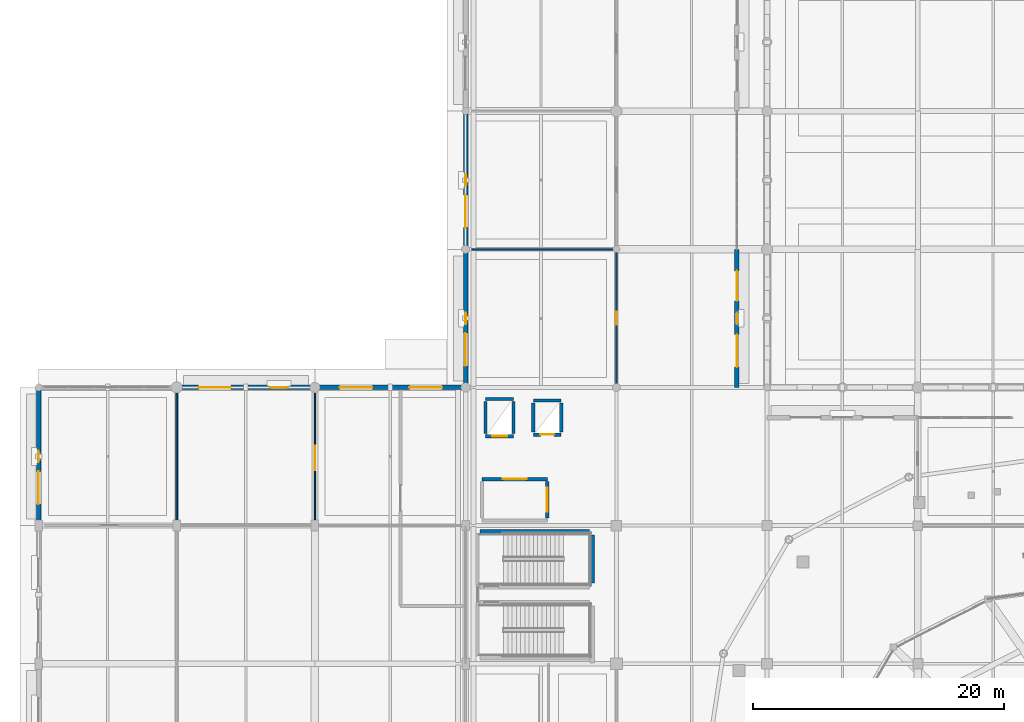
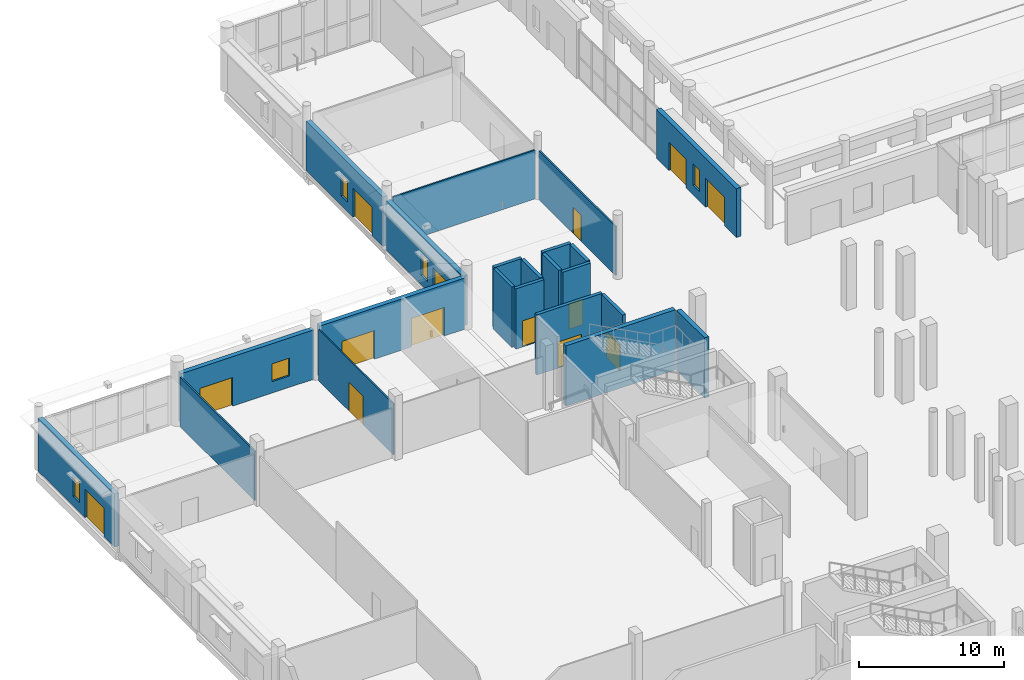
# One storey, part 60 of 120: 22 walls, 14 doors, 5 windows, 19 openings.
"""IFC4 building model written with IfcOpenShell, lengths in metres."""

from ifc_helpers import new_model, si_unit, direction, frame, frame_2d, origin, place, context, subcontext, project, spatial, rectangle, extrude, material, layer, layer_set, type_object, element, fill, save


model = new_model("IFC4")

# Units and contexts
model_context = context("Model", 3, precision=1e-05, world=origin(), true_north=direction((0.0, 1.0)))
body_context = subcontext(model_context, "Body", "Model", "MODEL_VIEW")
ifc_project = project(units=[si_unit("LENGTHUNIT", "METRE"), si_unit("AREAUNIT", "SQUARE_METRE"), si_unit("VOLUMEUNIT", "CUBIC_METRE"), si_unit("PLANEANGLEUNIT", "RADIAN"), si_unit("MASSUNIT", "GRAM", prefix="KILO")], contexts=[model_context])

# Site, building, storey
site_placement = place(None, origin())
site = spatial("IfcSite", under=ifc_project, at=site_placement, CompositionType="ELEMENT")
building_placement = place(site_placement, origin())
building = spatial("IfcBuilding", under=site, at=building_placement, Name="Luwafu Chhajja Arena", CompositionType="ELEMENT")
storey_placement = place(building_placement, origin())
storey = spatial("IfcBuildingStorey", under=building, at=storey_placement, Name="L00", CompositionType="ELEMENT", Elevation=0.0)

# Wall, opening, door
ifc_material_1 = material(Name="Gypsum plasterboard partition")
ifc_layer_1 = layer(ifc_material_1, 0.10009765625, Name="Gypsum plasterboard partition")
ifc_layer_set_1 = layer_set([ifc_layer_1], Name="Gypsum plasterboard partition")
wall_type_1 = type_object("IfcWallType", Name="Drywall Lining Partition 100", PredefinedType="PARTITIONING", material=ifc_layer_set_1)
wall_1_placement = place(storey_placement, frame((22.0, 88.219970703125, 0.0), z_axis=(0.0, 0.0, 1.0), x_axis=(0.0, 1.0, 0.0)))
wall_1 = element("IfcWall", 1, at=wall_1_placement, inside=storey, type_object=wall_type_1, Name="L00 Internal Partition 0151", PredefinedType="PARTITIONING", context=body_context, shape_type="SweptSolid", body=[
    extrude(rectangle(XDim=10.300048828125, YDim=0.10009765625, at=frame_2d((5.14990234375, 0.0))), origin(), (0.0, 0.0, 1.0), 4.300048828125),
])
opening_1_placement = place(wall_1_placement, frame((4.175048828125, 0.0, 0.0)))
opening_1 = element("IfcOpeningElement", 2, at=opening_1_placement, cuts=wall_1, Name="Opening DR-25", PredefinedType="OPENING", context=body_context, shape_type="SweptSolid", body=[
    extrude(rectangle(XDim=1.949951171875, YDim=2.39990234375, at=frame_2d((0.97509765625, 1.199951171875))), frame((0.0, 0.06005859375, 0.0), z_axis=(0.0, -1.0, 0.0), x_axis=(1.0, 0.0, 0.0)), (0.0, 0.0, 1.0), 0.1201171875),
])
ifc_material_2 = material(Name="Anodised bronze glazed double door")
door_type_1 = type_object("IfcDoorType", Name="DR-25", OperationType="DOUBLE_DOOR_SINGLE_SWING", PredefinedType="DOOR", material=ifc_material_2)
door_1_placement = place(opening_1_placement, origin())
door_1 = element("IfcDoor", 3, at=door_1_placement, inside=storey, type_object=door_type_1, Name="L00 Interior Door L00-D034", OperationType="DOUBLE_DOOR_SINGLE_SWING", OverallHeight=2.39990234375, OverallWidth=1.949951171875, PredefinedType="DOOR", context=body_context, shape_type="SweptSolid", body=[
    extrude(rectangle(XDim=1.949951171875, YDim=2.39990234375, at=frame_2d((0.97509765625, 1.199951171875))), frame((0.0, 0.02490234375, 0.0), z_axis=(0.0, -1.0, 0.0), x_axis=(1.0, 0.0, 0.0)), (0.0, 0.0, 1.0), 0.050048828125),
])
fill(opening_1, door_1)

ifc_material_3 = material(Name="Concrete C40/50", Category="concrete")
ifc_layer_2 = layer(ifc_material_3, 0.260009765625, Name="Concrete C40/50")
ifc_layer_set_2 = layer_set([ifc_layer_2], Name="Concrete C40/50")
wall_type_2 = type_object("IfcWallType", Name="Firefighting Lobby Wall 260", PredefinedType="SOLIDWALL", material=ifc_layer_set_2)
wall_2_placement = place(storey_placement, frame((35.300048828125, 91.699951171875, 0.0), z_axis=(0.0, 0.0, 1.0), x_axis=(1.0, 0.0, 0.0)))
wall_2 = element("IfcWall", 4, at=wall_2_placement, inside=storey, type_object=wall_type_2, Name="L00 Core C3 Firefighting Lobby Wall N", PredefinedType="SOLIDWALL", context=body_context, shape_type="SweptSolid", body=[
    extrude(rectangle(XDim=5.199951171875, YDim=0.260009765625, at=frame_2d((2.60009765625, 0.0))), origin(), (0.0, 0.0, 1.0), 5.06005859375),
])
opening_2_placement = place(wall_2_placement, frame((1.64990234375, 0.0, 0.0)))
opening_2 = element("IfcOpeningElement", 5, at=opening_2_placement, cuts=wall_2, Name="Opening DR-07", PredefinedType="OPENING", context=body_context, shape_type="SweptSolid", body=[
    extrude(rectangle(XDim=1.89990234375, YDim=2.199951171875, at=frame_2d((0.949951171875, 1.10009765625))), frame((0.0, 0.139892578125, 0.0), z_axis=(0.0, -1.0, 0.0), x_axis=(1.0, 0.0, 0.0)), (0.0, 0.0, 1.0), 0.280029296875),
])
ifc_material_4 = material(Name="Fire-rated hardwood and vision panel", Category="wood")
door_type_2 = type_object("IfcDoorType", Name="DR-07", OperationType="DOUBLE_DOOR_SINGLE_SWING", PredefinedType="DOOR", material=ifc_material_4)
door_2_placement = place(opening_2_placement, origin())
door_2 = element("IfcDoor", 6, at=door_2_placement, inside=storey, type_object=door_type_2, Name="L00 Firefighting Lobby C3 Door L00-D011", OperationType="DOUBLE_DOOR_SINGLE_SWING", OverallHeight=2.199951171875, OverallWidth=1.89990234375, PredefinedType="DOOR", context=body_context, shape_type="SweptSolid", body=[
    extrude(rectangle(XDim=1.89990234375, YDim=2.199951171875, at=frame_2d((0.949951171875, 1.10009765625))), frame((0.0, 0.02490234375, 0.0), z_axis=(0.0, -1.0, 0.0), x_axis=(1.0, 0.0, 0.0)), (0.0, 0.0, 1.0), 0.050048828125),
])
fill(opening_2, door_2)

wall_3_placement = place(storey_placement, frame((40.5, 88.60009765625, 0.0), z_axis=(0.0, 0.0, 1.0), x_axis=(0.0, 1.0, 0.0)))
wall_3 = element("IfcWall", 7, at=wall_3_placement, inside=storey, type_object=wall_type_2, Name="L00 Core C3 Firefighting Lobby Wall E", PredefinedType="SOLIDWALL", context=body_context, shape_type="SweptSolid", body=[
    extrude(rectangle(XDim=2.89990234375, YDim=0.260009765625, at=frame_2d((1.449951171875, 0.0))), origin(), (0.0, 0.0, 1.0), 5.06005859375),
])
opening_3_placement = place(wall_3_placement, frame((0.5, 0.0, 0.0)))
opening_3 = element("IfcOpeningElement", 8, at=opening_3_placement, cuts=wall_3, Name="Opening DR-07", PredefinedType="OPENING", context=body_context, shape_type="SweptSolid", body=[
    extrude(rectangle(XDim=1.89990234375, YDim=2.199951171875, at=frame_2d((0.949951171875, 1.10009765625))), frame((0.0, 0.139892578125, 0.0), z_axis=(0.0, -1.0, 0.0), x_axis=(1.0, 0.0, 0.0)), (0.0, 0.0, 1.0), 0.280029296875),
])
door_3_placement = place(opening_3_placement, origin())
door_3 = element("IfcDoor", 9, at=door_3_placement, inside=storey, type_object=door_type_2, Name="L00 Firefighting Lobby C3 Door L00-D012", OperationType="DOUBLE_DOOR_SINGLE_SWING", OverallHeight=2.199951171875, OverallWidth=1.89990234375, PredefinedType="DOOR", context=body_context, shape_type="SweptSolid", body=[
    extrude(rectangle(XDim=1.89990234375, YDim=2.199951171875, at=frame_2d((0.949951171875, 1.10009765625))), frame((0.0, 0.02490234375, 0.0), z_axis=(0.0, -1.0, 0.0), x_axis=(1.0, 0.0, 0.0)), (0.0, 0.0, 1.0), 0.050048828125),
])
fill(opening_3, door_3)

# Wall
ifc_material_5 = material(Name="Acoustic metal-stud gypsum board")
ifc_layer_3 = layer(ifc_material_5, 0.1201171875, Name="Acoustic metal-stud gypsum board")
ifc_layer_set_3 = layer_set([ifc_layer_3], Name="Acoustic metal-stud gypsum board")
wall_type_3 = type_object("IfcWallType", Name="Internal Room Partition 120", PredefinedType="PARTITIONING", material=ifc_layer_set_3)
wall_4_placement = place(storey_placement, frame((11.0, 88.219970703125, 0.0), z_axis=(0.0, 0.0, 1.0), x_axis=(0.0, 1.0, 0.0)))
element("IfcWall", 10, at=wall_4_placement, inside=storey, type_object=wall_type_3, Name="L00 Internal Partition 0148", PredefinedType="PARTITIONING", context=body_context, shape_type="SweptSolid", body=[
    extrude(rectangle(XDim=10.300048828125, YDim=0.1201171875, at=frame_2d((5.14990234375, 0.0))), origin(), (0.0, 0.0, 1.0), 4.14990234375),
])

# Wall, opening, door
wall_5_placement = place(storey_placement, frame((46.0, 99.219970703125, 0.0), z_axis=(0.0, 0.0, 1.0), x_axis=(0.0, 1.0, 0.0)))
wall_5 = element("IfcWall", 11, at=wall_5_placement, inside=storey, type_object=wall_type_3, Name="L00 Internal Partition 0159", PredefinedType="PARTITIONING", context=body_context, shape_type="SweptSolid", body=[
    extrude(rectangle(XDim=10.56005859375, YDim=0.1201171875, at=frame_2d((5.280029296875, 0.0))), origin(), (0.0, 0.0, 1.0), 4.10009765625),
])
opening_4_placement = place(wall_5_placement, frame((4.760009765625, 0.0, 0.0)))
opening_4 = element("IfcOpeningElement", 12, at=opening_4_placement, cuts=wall_5, Name="Opening DR-24", PredefinedType="OPENING", context=body_context, shape_type="SweptSolid", body=[
    extrude(rectangle(XDim=1.0400390625, YDim=2.199951171875, at=frame_2d((0.52001953125, 1.10009765625))), frame((0.0, 0.070068359375, 0.0), z_axis=(0.0, -1.0, 0.0), x_axis=(1.0, 0.0, 0.0)), (0.0, 0.0, 1.0), 0.14013671875),
])
ifc_material_6 = material(Name="Hardwood flush classroom door", Category="wood")
door_type_3 = type_object("IfcDoorType", Name="DR-24", OperationType="NOTDEFINED", PredefinedType="DOOR", material=ifc_material_6)
door_4_placement = place(opening_4_placement, origin())
door_4 = element("IfcDoor", 13, at=door_4_placement, inside=storey, type_object=door_type_3, Name="L00 Interior Door L00-D040", OperationType="SINGLE_SWING_RIGHT", OverallHeight=2.199951171875, OverallWidth=1.0400390625, PredefinedType="DOOR", context=body_context, shape_type="SweptSolid", body=[
    extrude(rectangle(XDim=1.0400390625, YDim=2.199951171875, at=frame_2d((0.52001953125, 1.10009765625))), frame((0.0, 0.02490234375, 0.0), z_axis=(0.0, -1.0, 0.0), x_axis=(1.0, 0.0, 0.0)), (0.0, 0.0, 1.0), 0.050048828125),
])
fill(opening_4, door_4)

# Wall
wall_6_placement = place(storey_placement, frame((34.47998046875, 110.0, 0.0), z_axis=(0.0, 0.0, 1.0), x_axis=(1.0, 0.0, 0.0)))
element("IfcWall", 14, at=wall_6_placement, inside=storey, type_object=wall_type_3, Name="L00 Internal Partition 0203", PredefinedType="PARTITIONING", context=body_context, shape_type="SweptSolid", body=[
    extrude(rectangle(XDim=11.300048828125, YDim=0.1201171875, at=frame_2d((5.64990234375, 0.0))), origin(), (0.0, 0.0, 1.0), 4.10009765625),
])

# Wall, opening, door
ifc_material_7 = material(Name="Concrete C35/45", Category="concrete")
ifc_layer_4 = layer(ifc_material_7, 0.260009765625, Name="Concrete C35/45")
ifc_layer_set_4 = layer_set([ifc_layer_4], Name="Concrete C35/45")
wall_type_4 = type_object("IfcWallType", Name="Lift and Riser Shaft Wall 260", PredefinedType="SOLIDWALL", material=ifc_layer_set_4)
wall_7_placement = place(storey_placement, frame((35.590087890625, 95.114990234375, 0.0), z_axis=(0.0, 0.0, 1.0), x_axis=(1.0, 0.0, 0.0)))
wall_7 = element("IfcWall", 15, at=wall_7_placement, inside=storey, type_object=wall_type_4, Name="L00 Lift LF-03 Shaft Wall S", PredefinedType="SOLIDWALL", context=body_context, shape_type="SweptSolid", body=[
    extrude(rectangle(XDim=2.219970703125, YDim=0.260009765625, at=frame_2d((1.10986328125, 0.0))), origin(), (0.0, 0.0, 1.0), 5.06005859375),
])
opening_5_placement = place(wall_7_placement, frame((0.510009765625, 0.0, 0.0)))
opening_5 = element("IfcOpeningElement", 16, at=opening_5_placement, cuts=wall_7, Name="Opening LD-02", PredefinedType="OPENING", context=body_context, shape_type="SweptSolid", body=[
    extrude(rectangle(XDim=1.199951171875, YDim=2.199951171875, at=frame_2d((0.60009765625, 1.10009765625))), frame((0.0, 0.139892578125, 0.0), z_axis=(0.0, -1.0, 0.0), x_axis=(1.0, 0.0, 0.0)), (0.0, 0.0, 1.0), 0.280029296875),
])
ifc_material_8 = material(Name="Brushed stainless steel sliding leaves", Category="steel")
door_type_4 = type_object("IfcDoorType", Name="LD-02", OperationType="SLIDING_TO_LEFT", PredefinedType="DOOR", material=ifc_material_8)
door_5_placement = place(opening_5_placement, origin())
door_5 = element("IfcDoor", 17, at=door_5_placement, inside=storey, type_object=door_type_4, Name="L00 Lift LF-03 Landing Door L00-LD05", OperationType="SLIDING_TO_LEFT", OverallHeight=2.199951171875, OverallWidth=1.199951171875, PredefinedType="DOOR", context=body_context, shape_type="SweptSolid", body=[
    extrude(rectangle(XDim=1.199951171875, YDim=2.199951171875, at=frame_2d((0.60009765625, 1.10009765625))), frame((0.0, 0.02490234375, 0.0), z_axis=(0.0, -1.0, 0.0), x_axis=(1.0, 0.0, 0.0)), (0.0, 0.0, 1.0), 0.050048828125),
])
fill(opening_5, door_5)

# Walls
wall_8_placement = place(storey_placement, frame((35.590087890625, 98.0849609375, 0.0), z_axis=(0.0, 0.0, 1.0), x_axis=(1.0, 0.0, 0.0)))
element("IfcWall", 18, at=wall_8_placement, inside=storey, type_object=wall_type_4, Name="L00 Lift LF-03 Shaft Wall N", PredefinedType="SOLIDWALL", context=body_context, shape_type="SweptSolid", body=[
    extrude(rectangle(XDim=2.219970703125, YDim=0.260009765625, at=frame_2d((1.10986328125, 0.0))), origin(), (0.0, 0.0, 1.0), 5.06005859375),
])
for number, where, z_axis, x_axis, name in (
    (19, (35.590087890625, 95.31494140625, 0.0), (0.0, 0.0, 1.0), (0.0, 1.0, 0.0), "L00 Lift LF-03 Shaft Wall W"),
    (20, (37.81005859375, 95.31494140625, 0.0), (0.0, 0.0, 1.0), (0.0, 1.0, 0.0), "L00 Lift LF-03 Shaft Wall E"),
):
    element("IfcWall", number, at=place(storey_placement, frame(where, z_axis=z_axis, x_axis=x_axis)), inside=storey, type_object=wall_type_4, Name=name, PredefinedType="SOLIDWALL", context=body_context, shape_type="SweptSolid", body=[
        extrude(rectangle(XDim=2.570068359375, YDim=0.260009765625, at=frame_2d((1.28515625, 0.0))), origin(), (0.0, 0.0, 1.0), 5.06005859375),
    ])

# Wall, opening, door
wall_9_placement = place(storey_placement, frame((39.389892578125, 95.239990234375, 0.0), z_axis=(0.0, 0.0, 1.0), x_axis=(1.0, 0.0, 0.0)))
wall_9 = element("IfcWall", 21, at=wall_9_placement, inside=storey, type_object=wall_type_4, Name="L00 Lift LF-07 Shaft Wall S", PredefinedType="SOLIDWALL", context=body_context, shape_type="SweptSolid", body=[
    extrude(rectangle(XDim=2.22021484375, YDim=0.260009765625, at=frame_2d((1.110107421875, 0.0))), origin(), (0.0, 0.0, 1.0), 5.06005859375),
])
opening_6_placement = place(wall_9_placement, frame((0.56005859375, 0.0, 0.0)))
opening_6 = element("IfcOpeningElement", 22, at=opening_6_placement, cuts=wall_9, Name="Opening LD-01", PredefinedType="OPENING", context=body_context, shape_type="SweptSolid", body=[
    extrude(rectangle(XDim=1.10009765625, YDim=2.14990234375, at=frame_2d((0.550048828125, 1.074951171875))), frame((0.0, 0.139892578125, 0.0), z_axis=(0.0, -1.0, 0.0), x_axis=(1.0, 0.0, 0.0)), (0.0, 0.0, 1.0), 0.280029296875),
])
door_type_5 = type_object("IfcDoorType", Name="LD-01", OperationType="SLIDING_TO_LEFT", PredefinedType="DOOR", material=ifc_material_8)
door_6_placement = place(opening_6_placement, origin())
door_6 = element("IfcDoor", 23, at=door_6_placement, inside=storey, type_object=door_type_5, Name="L00 Lift LF-07 Landing Door L00-LD06", OperationType="SLIDING_TO_LEFT", OverallHeight=2.14990234375, OverallWidth=1.10009765625, PredefinedType="DOOR", context=body_context, shape_type="SweptSolid", body=[
    extrude(rectangle(XDim=1.10009765625, YDim=2.14990234375, at=frame_2d((0.550048828125, 1.074951171875))), frame((0.0, 0.02490234375, 0.0), z_axis=(0.0, -1.0, 0.0), x_axis=(1.0, 0.0, 0.0)), (0.0, 0.0, 1.0), 0.050048828125),
])
fill(opening_6, door_6)

# Walls
wall_10_placement = place(storey_placement, frame((39.389892578125, 97.9599609375, 0.0), z_axis=(0.0, 0.0, 1.0), x_axis=(1.0, 0.0, 0.0)))
element("IfcWall", 24, at=wall_10_placement, inside=storey, type_object=wall_type_4, Name="L00 Lift LF-07 Shaft Wall N", PredefinedType="SOLIDWALL", context=body_context, shape_type="SweptSolid", body=[
    extrude(rectangle(XDim=2.22021484375, YDim=0.260009765625, at=frame_2d((1.110107421875, 0.0))), origin(), (0.0, 0.0, 1.0), 5.06005859375),
])
for number, where, z_axis, x_axis, name in (
    (25, (39.389892578125, 95.43994140625, 0.0), (0.0, 0.0, 1.0), (0.0, 1.0, 0.0), "L00 Lift LF-07 Shaft Wall W"),
    (26, (41.610107421875, 95.43994140625, 0.0), (0.0, 0.0, 1.0), (0.0, 1.0, 0.0), "L00 Lift LF-07 Shaft Wall E"),
):
    element("IfcWall", number, at=place(storey_placement, frame(where, z_axis=z_axis, x_axis=x_axis)), inside=storey, type_object=wall_type_4, Name=name, PredefinedType="SOLIDWALL", context=body_context, shape_type="SweptSolid", body=[
        extrude(rectangle(XDim=2.320068359375, YDim=0.260009765625, at=frame_2d((1.16015625, 0.0))), origin(), (0.0, 0.0, 1.0), 5.06005859375),
    ])
ifc_layer_5 = layer(ifc_material_3, 0.35009765625, Name="Concrete C40/50")
ifc_layer_set_5 = layer_set([ifc_layer_5], Name="Concrete C40/50")
wall_type_5 = type_object("IfcWallType", Name="RC Core Shear Wall 350", PredefinedType="SOLIDWALL", material=ifc_layer_set_5)
wall_11_placement = place(storey_placement, frame((44.072021484375, 83.409912109375, 0.0), z_axis=(0.0, 0.0, 1.0), x_axis=(0.0, 1.0, 0.0)))
element("IfcWall", 27, at=wall_11_placement, inside=storey, type_object=wall_type_5, Name="L00 Stair ST-06 Core Shear Wall E", PredefinedType="SOLIDWALL", context=body_context, shape_type="SweptSolid", body=[
    extrude(rectangle(XDim=3.840087890625, YDim=0.35009765625, at=frame_2d((1.919921875, 0.0))), origin(), (0.0, 0.0, 1.0), 5.06005859375),
])
wall_12_placement = place(storey_placement, frame((35.14990234375, 87.52197265625, 0.0), z_axis=(0.0, 0.0, 1.0), x_axis=(1.0, 0.0, 0.0)))
element("IfcWall", 28, at=wall_12_placement, inside=storey, type_object=wall_type_5, Name="L00 Stair ST-06 Core Shear Wall N", PredefinedType="SOLIDWALL", context=body_context, shape_type="SweptSolid", body=[
    extrude(rectangle(XDim=8.7001953125, YDim=0.35009765625, at=frame_2d((4.35009765625, 0.0))), origin(), (0.0, 0.0, 1.0), 5.06005859375),
])

# Wall, openings, window, door
ifc_layer_6 = layer(ifc_material_7, 0.360107421875, Name="Concrete C35/45")
ifc_layer_set_6 = layer_set([ifc_layer_6], Name="Concrete C35/45")
wall_type_6 = type_object("IfcWallType", Name="Sandstone Backed Exterior Wall 360", PredefinedType="SOLIDWALL", material=ifc_layer_set_6)
wall_13_placement = place(storey_placement, frame((0.0, 88.219970703125, 0.0), z_axis=(0.0, 0.0, 1.0), x_axis=(0.0, 1.0, 0.0)))
wall_13 = element("IfcWall", 29, at=wall_13_placement, inside=storey, type_object=wall_type_6, Name="L00 Exterior Wall WEX-L00-063", PredefinedType="SOLIDWALL", context=body_context, shape_type="SweptSolid", body=[
    extrude(rectangle(XDim=10.56005859375, YDim=0.360107421875, at=frame_2d((5.280029296875, 0.0))), origin(), (0.0, 0.0, 1.0), 4.449951171875),
])
opening_7_placement = place(wall_13_placement, frame((1.49560546875, 0.0, 0.0)))
opening_7 = element("IfcOpeningElement", 30, at=opening_7_placement, cuts=wall_13, Name="Opening DR-01", PredefinedType="OPENING", context=body_context, shape_type="SweptSolid", body=[
    extrude(rectangle(XDim=2.60009765625, YDim=2.39990234375, at=frame_2d((1.300048828125, 1.199951171875))), frame((0.0, 0.18994140625, 0.0), z_axis=(0.0, -1.0, 0.0), x_axis=(1.0, 0.0, 0.0)), (0.0, 0.0, 1.0), 0.380126953125),
])
opening_8_placement = place(wall_13_placement, frame((4.830078125, 0.0, 0.800048828125)))
opening_8 = element("IfcOpeningElement", 31, at=opening_8_placement, cuts=wall_13, Name="Opening WN-16", PredefinedType="OPENING", context=body_context, shape_type="SweptSolid", body=[
    extrude(rectangle(XDim=0.89990234375, YDim=1.800048828125, at=frame_2d((0.449951171875, 0.89990234375))), frame((0.0, 0.18994140625, 0.0), z_axis=(0.0, -1.0, 0.0), x_axis=(1.0, 0.0, 0.0)), (0.0, 0.0, 1.0), 0.380126953125),
])
ifc_material_9 = material(Name="Solar-control laminated glass", Category="glass")
window_type_1 = type_object("IfcWindowType", Name="Stair Core Daylight Slot Window 900x1800", PartitioningType="SINGLE_PANEL", PredefinedType="WINDOW", material=ifc_material_9)
window_1_placement = place(opening_8_placement, origin())
window_1 = element("IfcWindow", 32, at=window_1_placement, inside=storey, type_object=window_type_1, Name="L00 Facade Window 264", OverallHeight=1.800048828125, OverallWidth=0.89990234375, PartitioningType="SINGLE_PANEL", PredefinedType="WINDOW", context=body_context, shape_type="SweptSolid", body=[
    extrude(rectangle(XDim=0.89990234375, YDim=1.800048828125, at=frame_2d((0.449951171875, 0.89990234375))), frame((0.0, 0.030029296875, 0.0), z_axis=(0.0, -1.0, 0.0), x_axis=(1.0, 0.0, 0.0)), (0.0, 0.0, 1.0), 0.06005859375),
])
fill(opening_8, window_1)
ifc_material_10 = material(Name="Anodised bronze aluminium and toughened glass", Category="aluminium")
door_type_6 = type_object("IfcDoorType", Name="DR-01", OperationType="DOUBLE_DOOR_SINGLE_SWING", PredefinedType="DOOR", material=ifc_material_10)
door_7_placement = place(opening_7_placement, origin())
door_7 = element("IfcDoor", 33, at=door_7_placement, inside=storey, type_object=door_type_6, Name="Stair Exit Discharge Door SX-07", OperationType="DOUBLE_DOOR_SINGLE_SWING", OverallHeight=2.39990234375, OverallWidth=2.60009765625, PredefinedType="DOOR", context=body_context, shape_type="SweptSolid", body=[
    extrude(rectangle(XDim=2.60009765625, YDim=2.39990234375, at=frame_2d((1.300048828125, 1.199951171875))), frame((0.0, 0.02490234375, 0.0), z_axis=(0.0, -1.0, 0.0), x_axis=(1.0, 0.0, 0.0)), (0.0, 0.0, 1.0), 0.050048828125),
])
fill(opening_7, door_7)

wall_14_placement = place(storey_placement, frame((11.219970703125, 99.0, 0.0), z_axis=(0.0, 0.0, 1.0), x_axis=(1.0, 0.0, 0.0)))
wall_14 = element("IfcWall", 34, at=wall_14_placement, inside=storey, type_object=wall_type_6, Name="L00 Exterior Wall WEX-L00-065", PredefinedType="SOLIDWALL", context=body_context, shape_type="SweptSolid", body=[
    extrude(rectangle(XDim=10.56005859375, YDim=0.360107421875, at=frame_2d((5.280029296875, 0.0))), origin(), (0.0, 0.0, 1.0), 4.14990234375),
])
opening_9_placement = place(wall_14_placement, frame((1.49560546875, 0.0, 0.0)))
opening_9 = element("IfcOpeningElement", 35, at=opening_9_placement, cuts=wall_14, Name="Opening DR-01", PredefinedType="OPENING", context=body_context, shape_type="SweptSolid", body=[
    extrude(rectangle(XDim=2.60009765625, YDim=2.39990234375, at=frame_2d((1.300048828125, 1.199951171875))), frame((0.0, 0.18994140625, 0.0), z_axis=(0.0, -1.0, 0.0), x_axis=(1.0, 0.0, 0.0)), (0.0, 0.0, 1.0), 0.380126953125),
])
opening_10_placement = place(wall_14_placement, frame((7.219970703125, 0.0, 0.949951171875)))
opening_10 = element("IfcOpeningElement", 36, at=opening_10_placement, cuts=wall_14, Name="Opening WN-14", PredefinedType="OPENING", context=body_context, shape_type="SweptSolid", body=[
    extrude(rectangle(XDim=1.39990234375, YDim=1.5, at=frame_2d((0.699951171875, 0.75))), frame((0.0, 0.18994140625, 0.0), z_axis=(0.0, -1.0, 0.0), x_axis=(1.0, 0.0, 0.0)), (0.0, 0.0, 1.0), 0.380126953125),
])
window_type_2 = type_object("IfcWindowType", Name="Sports Medicine Clinic Frosted Window 1400x1500", PartitioningType="SINGLE_PANEL", PredefinedType="WINDOW", material=ifc_material_9)
window_2_placement = place(opening_10_placement, origin())
window_2 = element("IfcWindow", 37, at=window_2_placement, inside=storey, type_object=window_type_2, Name="L00 Facade Window 266", OverallHeight=1.5, OverallWidth=1.39990234375, PartitioningType="SINGLE_PANEL", PredefinedType="WINDOW", context=body_context, shape_type="SweptSolid", body=[
    extrude(rectangle(XDim=1.39990234375, YDim=1.5, at=frame_2d((0.699951171875, 0.75))), frame((0.0, 0.030029296875, 0.0), z_axis=(0.0, -1.0, 0.0), x_axis=(1.0, 0.0, 0.0)), (0.0, 0.0, 1.0), 0.06005859375),
])
fill(opening_10, window_2)
door_8_placement = place(opening_9_placement, origin())
door_8 = element("IfcDoor", 38, at=door_8_placement, inside=storey, type_object=door_type_6, Name="Stair Exit Discharge Door SX-08", OperationType="DOUBLE_DOOR_SINGLE_SWING", OverallHeight=2.39990234375, OverallWidth=2.60009765625, PredefinedType="DOOR", context=body_context, shape_type="SweptSolid", body=[
    extrude(rectangle(XDim=2.60009765625, YDim=2.39990234375, at=frame_2d((1.300048828125, 1.199951171875))), frame((0.0, 0.02490234375, 0.0), z_axis=(0.0, -1.0, 0.0), x_axis=(1.0, 0.0, 0.0)), (0.0, 0.0, 1.0), 0.050048828125),
])
fill(opening_9, door_8)

# Wall, openings, doors
wall_15_placement = place(storey_placement, frame((22.219970703125, 99.0, 0.0), z_axis=(0.0, 0.0, 1.0), x_axis=(1.0, 0.0, 0.0)))
wall_15 = element("IfcWall", 39, at=wall_15_placement, inside=storey, type_object=wall_type_6, Name="L00 Exterior Wall WEX-L00-067", PredefinedType="SOLIDWALL", context=body_context, shape_type="SweptSolid", body=[
    extrude(rectangle(XDim=11.56005859375, YDim=0.360107421875, at=frame_2d((5.780029296875, 0.0))), origin(), (0.0, 0.0, 1.0), 4.300048828125),
])
opening_11_placement = place(wall_15_placement, frame((1.755615234375, 0.0, 0.0)))
opening_11 = element("IfcOpeningElement", 40, at=opening_11_placement, cuts=wall_15, Name="Opening DR-01", PredefinedType="OPENING", context=body_context, shape_type="SweptSolid", body=[
    extrude(rectangle(XDim=2.60009765625, YDim=2.39990234375, at=frame_2d((1.300048828125, 1.199951171875))), frame((0.0, 0.18994140625, 0.0), z_axis=(0.0, -1.0, 0.0), x_axis=(1.0, 0.0, 0.0)), (0.0, 0.0, 1.0), 0.380126953125),
])
opening_12_placement = place(wall_15_placement, frame((7.304443359375, 0.0, 0.0)))
opening_12 = element("IfcOpeningElement", 41, at=opening_12_placement, cuts=wall_15, Name="Opening DR-01", PredefinedType="OPENING", context=body_context, shape_type="SweptSolid", body=[
    extrude(rectangle(XDim=2.60009765625, YDim=2.39990234375, at=frame_2d((1.300048828125, 1.199951171875))), frame((0.0, 0.18994140625, 0.0), z_axis=(0.0, -1.0, 0.0), x_axis=(1.0, 0.0, 0.0)), (0.0, 0.0, 1.0), 0.380126953125),
])
door_9_placement = place(opening_11_placement, origin())
door_9 = element("IfcDoor", 42, at=door_9_placement, inside=storey, type_object=door_type_6, Name="Stair Exit Discharge Door SX-09", OperationType="DOUBLE_DOOR_SINGLE_SWING", OverallHeight=2.39990234375, OverallWidth=2.60009765625, PredefinedType="DOOR", context=body_context, shape_type="SweptSolid", body=[
    extrude(rectangle(XDim=2.60009765625, YDim=2.39990234375, at=frame_2d((1.300048828125, 1.199951171875))), frame((0.0, 0.02490234375, 0.0), z_axis=(0.0, -1.0, 0.0), x_axis=(1.0, 0.0, 0.0)), (0.0, 0.0, 1.0), 0.050048828125),
])
fill(opening_11, door_9)
door_10_placement = place(opening_12_placement, origin())
door_10 = element("IfcDoor", 43, at=door_10_placement, inside=storey, type_object=door_type_6, Name="Stair Exit Discharge Door SX-10", OperationType="DOUBLE_DOOR_SINGLE_SWING", OverallHeight=2.39990234375, OverallWidth=2.60009765625, PredefinedType="DOOR", context=body_context, shape_type="SweptSolid", body=[
    extrude(rectangle(XDim=2.60009765625, YDim=2.39990234375, at=frame_2d((1.300048828125, 1.199951171875))), frame((0.0, 0.02490234375, 0.0), z_axis=(0.0, -1.0, 0.0), x_axis=(1.0, 0.0, 0.0)), (0.0, 0.0, 1.0), 0.050048828125),
])
fill(opening_12, door_10)

# Wall, openings, window, door
wall_16_placement = place(storey_placement, frame((34.0, 99.219970703125, 0.0), z_axis=(0.0, 0.0, 1.0), x_axis=(0.0, 1.0, 0.0)))
wall_16 = element("IfcWall", 44, at=wall_16_placement, inside=storey, type_object=wall_type_6, Name="L00 Exterior Wall WEX-L00-069", PredefinedType="SOLIDWALL", context=body_context, shape_type="SweptSolid", body=[
    extrude(rectangle(XDim=10.56005859375, YDim=0.360107421875, at=frame_2d((5.280029296875, 0.0))), origin(), (0.0, 0.0, 1.0), 4.14990234375),
])
opening_13_placement = place(wall_16_placement, frame((1.49560546875, 0.0, 0.0)))
opening_13 = element("IfcOpeningElement", 45, at=opening_13_placement, cuts=wall_16, Name="Opening DR-01", PredefinedType="OPENING", context=body_context, shape_type="SweptSolid", body=[
    extrude(rectangle(XDim=2.60009765625, YDim=2.39990234375, at=frame_2d((1.300048828125, 1.199951171875))), frame((0.0, 0.18994140625, 0.0), z_axis=(0.0, -1.0, 0.0), x_axis=(1.0, 0.0, 0.0)), (0.0, 0.0, 1.0), 0.380126953125),
])
opening_14_placement = place(wall_16_placement, frame((4.830078125, 0.0, 0.800048828125)))
opening_14 = element("IfcOpeningElement", 46, at=opening_14_placement, cuts=wall_16, Name="Opening WN-16", PredefinedType="OPENING", context=body_context, shape_type="SweptSolid", body=[
    extrude(rectangle(XDim=0.89990234375, YDim=1.800048828125, at=frame_2d((0.449951171875, 0.89990234375))), frame((0.0, 0.18994140625, 0.0), z_axis=(0.0, -1.0, 0.0), x_axis=(1.0, 0.0, 0.0)), (0.0, 0.0, 1.0), 0.380126953125),
])
window_3_placement = place(opening_14_placement, origin())
window_3 = element("IfcWindow", 47, at=window_3_placement, inside=storey, type_object=window_type_1, Name="L00 Facade Window 269", OverallHeight=1.800048828125, OverallWidth=0.89990234375, PartitioningType="SINGLE_PANEL", PredefinedType="WINDOW", context=body_context, shape_type="SweptSolid", body=[
    extrude(rectangle(XDim=0.89990234375, YDim=1.800048828125, at=frame_2d((0.449951171875, 0.89990234375))), frame((0.0, 0.030029296875, 0.0), z_axis=(0.0, -1.0, 0.0), x_axis=(1.0, 0.0, 0.0)), (0.0, 0.0, 1.0), 0.06005859375),
])
fill(opening_14, window_3)
door_11_placement = place(opening_13_placement, origin())
door_11 = element("IfcDoor", 48, at=door_11_placement, inside=storey, type_object=door_type_6, Name="Stair Exit Discharge Door SX-11", OperationType="DOUBLE_DOOR_SINGLE_SWING", OverallHeight=2.39990234375, OverallWidth=2.60009765625, PredefinedType="DOOR", context=body_context, shape_type="SweptSolid", body=[
    extrude(rectangle(XDim=2.60009765625, YDim=2.39990234375, at=frame_2d((1.300048828125, 1.199951171875))), frame((0.0, 0.02490234375, 0.0), z_axis=(0.0, -1.0, 0.0), x_axis=(1.0, 0.0, 0.0)), (0.0, 0.0, 1.0), 0.050048828125),
])
fill(opening_13, door_11)

wall_17_placement = place(storey_placement, frame((34.0, 110.219970703125, 0.0), z_axis=(0.0, 0.0, 1.0), x_axis=(0.0, 1.0, 0.0)))
wall_17 = element("IfcWall", 49, at=wall_17_placement, inside=storey, type_object=wall_type_6, Name="L00 Exterior Wall WEX-L00-070", PredefinedType="SOLIDWALL", context=body_context, shape_type="SweptSolid", body=[
    extrude(rectangle(XDim=10.56005859375, YDim=0.360107421875, at=frame_2d((5.280029296875, 0.0))), origin(), (0.0, 0.0, 1.0), 4.14990234375),
])
opening_15_placement = place(wall_17_placement, frame((1.49560546875, 0.0, 0.0)))
opening_15 = element("IfcOpeningElement", 50, at=opening_15_placement, cuts=wall_17, Name="Opening DR-01", PredefinedType="OPENING", context=body_context, shape_type="SweptSolid", body=[
    extrude(rectangle(XDim=2.60009765625, YDim=2.39990234375, at=frame_2d((1.300048828125, 1.199951171875))), frame((0.0, 0.18994140625, 0.0), z_axis=(0.0, -1.0, 0.0), x_axis=(1.0, 0.0, 0.0)), (0.0, 0.0, 1.0), 0.380126953125),
])
opening_16_placement = place(wall_17_placement, frame((4.830078125, 0.0, 0.800048828125)))
opening_16 = element("IfcOpeningElement", 51, at=opening_16_placement, cuts=wall_17, Name="Opening WN-16", PredefinedType="OPENING", context=body_context, shape_type="SweptSolid", body=[
    extrude(rectangle(XDim=0.89990234375, YDim=1.800048828125, at=frame_2d((0.449951171875, 0.89990234375))), frame((0.0, 0.18994140625, 0.0), z_axis=(0.0, -1.0, 0.0), x_axis=(1.0, 0.0, 0.0)), (0.0, 0.0, 1.0), 0.380126953125),
])
window_4_placement = place(opening_16_placement, origin())
window_4 = element("IfcWindow", 52, at=window_4_placement, inside=storey, type_object=window_type_1, Name="L00 Facade Window 270", OverallHeight=1.800048828125, OverallWidth=0.89990234375, PartitioningType="SINGLE_PANEL", PredefinedType="WINDOW", context=body_context, shape_type="SweptSolid", body=[
    extrude(rectangle(XDim=0.89990234375, YDim=1.800048828125, at=frame_2d((0.449951171875, 0.89990234375))), frame((0.0, 0.030029296875, 0.0), z_axis=(0.0, -1.0, 0.0), x_axis=(1.0, 0.0, 0.0)), (0.0, 0.0, 1.0), 0.06005859375),
])
fill(opening_16, window_4)
door_12_placement = place(opening_15_placement, origin())
door_12 = element("IfcDoor", 53, at=door_12_placement, inside=storey, type_object=door_type_6, Name="Stair Exit Discharge Door SX-12", OperationType="DOUBLE_DOOR_SINGLE_SWING", OverallHeight=2.39990234375, OverallWidth=2.60009765625, PredefinedType="DOOR", context=body_context, shape_type="SweptSolid", body=[
    extrude(rectangle(XDim=2.60009765625, YDim=2.39990234375, at=frame_2d((1.300048828125, 1.199951171875))), frame((0.0, 0.02490234375, 0.0), z_axis=(0.0, -1.0, 0.0), x_axis=(1.0, 0.0, 0.0)), (0.0, 0.0, 1.0), 0.050048828125),
])
fill(opening_15, door_12)

# Wall, openings, doors, window
wall_18_placement = place(storey_placement, frame((55.60009765625, 99.0, 0.0), z_axis=(0.0, 0.0, 1.0), x_axis=(0.0, 1.0, 0.0)))
wall_18 = element("IfcWall", 54, at=wall_18_placement, inside=storey, type_object=wall_type_6, Name="L00 Exterior Wall WEX-L00-073", PredefinedType="SOLIDWALL", context=body_context, shape_type="SweptSolid", body=[
    extrude(rectangle(XDim=11.0, YDim=0.360107421875, at=frame_2d((5.5, 0.0))), origin(), (0.0, 0.0, 1.0), 4.10009765625),
])
opening_17_placement = place(wall_18_placement, frame((1.610107421875, 0.0, 0.0)))
opening_17 = element("IfcOpeningElement", 55, at=opening_17_placement, cuts=wall_18, Name="Opening DR-01", PredefinedType="OPENING", context=body_context, shape_type="SweptSolid", body=[
    extrude(rectangle(XDim=2.60009765625, YDim=2.39990234375, at=frame_2d((1.300048828125, 1.199951171875))), frame((0.0, 0.18994140625, 0.0), z_axis=(0.0, -1.0, 0.0), x_axis=(1.0, 0.0, 0.0)), (0.0, 0.0, 1.0), 0.380126953125),
])
opening_18_placement = place(wall_18_placement, frame((6.889892578125, 0.0, 0.0)))
opening_18 = element("IfcOpeningElement", 56, at=opening_18_placement, cuts=wall_18, Name="Opening GD-01", PredefinedType="OPENING", context=body_context, shape_type="SweptSolid", body=[
    extrude(rectangle(XDim=2.39990234375, YDim=2.39990234375, at=frame_2d((1.199951171875, 1.199951171875))), frame((0.0, 0.18994140625, 0.0), z_axis=(0.0, -1.0, 0.0), x_axis=(1.0, 0.0, 0.0)), (0.0, 0.0, 1.0), 0.380126953125),
])
opening_19_placement = place(wall_18_placement, frame((5.050048828125, 0.0, 0.800048828125)))
opening_19 = element("IfcOpeningElement", 57, at=opening_19_placement, cuts=wall_18, Name="Opening WN-16", PredefinedType="OPENING", context=body_context, shape_type="SweptSolid", body=[
    extrude(rectangle(XDim=0.89990234375, YDim=1.800048828125, at=frame_2d((0.449951171875, 0.89990234375))), frame((0.0, 0.18994140625, 0.0), z_axis=(0.0, -1.0, 0.0), x_axis=(1.0, 0.0, 0.0)), (0.0, 0.0, 1.0), 0.380126953125),
])
door_type_7 = type_object("IfcDoorType", Name="GD-01", OperationType="DOUBLE_DOOR_SINGLE_SWING", PredefinedType="DOOR", material=ifc_material_10)
door_13_placement = place(opening_18_placement, frame((2.39990234375, 0.0, 0.0), z_axis=(0.0, 0.0, 1.0), x_axis=(-1.0, 0.0, 0.0)))
door_13 = element("IfcDoor", 58, at=door_13_placement, inside=storey, type_object=door_type_7, Name="Pedestrian exit gate GT-01", OperationType="DOUBLE_DOOR_SINGLE_SWING", OverallHeight=2.39990234375, OverallWidth=2.39990234375, PredefinedType="DOOR", context=body_context, shape_type="SweptSolid", body=[
    extrude(rectangle(XDim=2.39990234375, YDim=2.39990234375, at=frame_2d((1.199951171875, 1.199951171875))), frame((0.0, 0.02490234375, 0.0), z_axis=(0.0, -1.0, 0.0), x_axis=(1.0, 0.0, 0.0)), (0.0, 0.0, 1.0), 0.050048828125),
])
fill(opening_18, door_13)
window_5_placement = place(opening_19_placement, origin())
window_5 = element("IfcWindow", 59, at=window_5_placement, inside=storey, type_object=window_type_1, Name="L00 Facade Window 272", OverallHeight=1.800048828125, OverallWidth=0.89990234375, PartitioningType="SINGLE_PANEL", PredefinedType="WINDOW", context=body_context, shape_type="SweptSolid", body=[
    extrude(rectangle(XDim=0.89990234375, YDim=1.800048828125, at=frame_2d((0.449951171875, 0.89990234375))), frame((0.0, 0.030029296875, 0.0), z_axis=(0.0, -1.0, 0.0), x_axis=(1.0, 0.0, 0.0)), (0.0, 0.0, 1.0), 0.06005859375),
])
fill(opening_19, window_5)
door_14_placement = place(opening_17_placement, frame((2.60009765625, 0.0, 0.0), z_axis=(0.0, 0.0, 1.0), x_axis=(-1.0, 0.0, 0.0)))
door_14 = element("IfcDoor", 60, at=door_14_placement, inside=storey, type_object=door_type_6, Name="Stair Exit Discharge Door SX-16", OperationType="DOUBLE_DOOR_SINGLE_SWING", OverallHeight=2.39990234375, OverallWidth=2.60009765625, PredefinedType="DOOR", context=body_context, shape_type="SweptSolid", body=[
    extrude(rectangle(XDim=2.60009765625, YDim=2.39990234375, at=frame_2d((1.300048828125, 1.199951171875))), frame((0.0, 0.02490234375, 0.0), z_axis=(0.0, -1.0, 0.0), x_axis=(1.0, 0.0, 0.0)), (0.0, 0.0, 1.0), 0.050048828125),
])
fill(opening_17, door_14)

save(model, "model.ifc")
